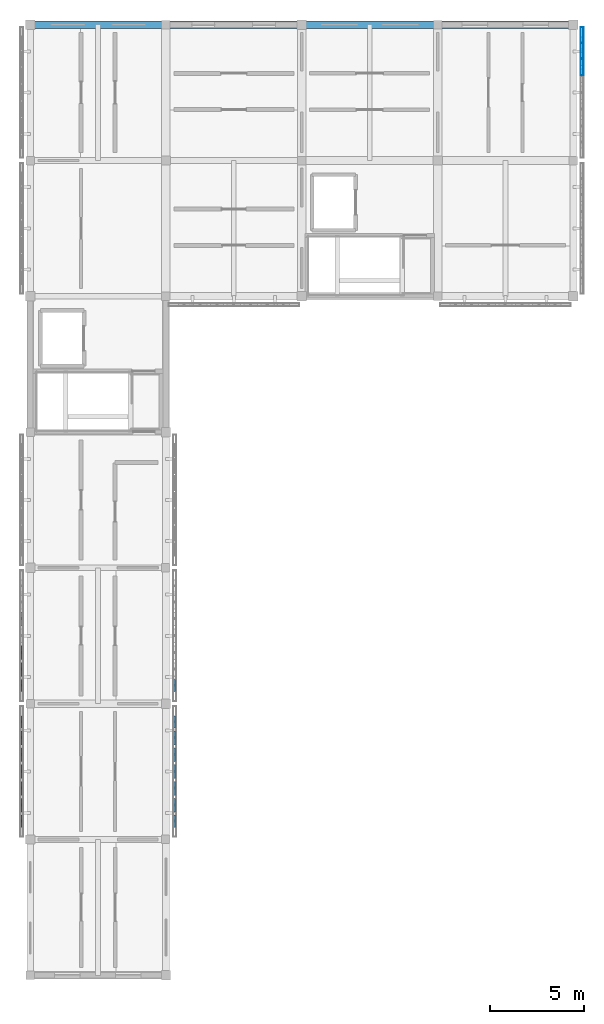
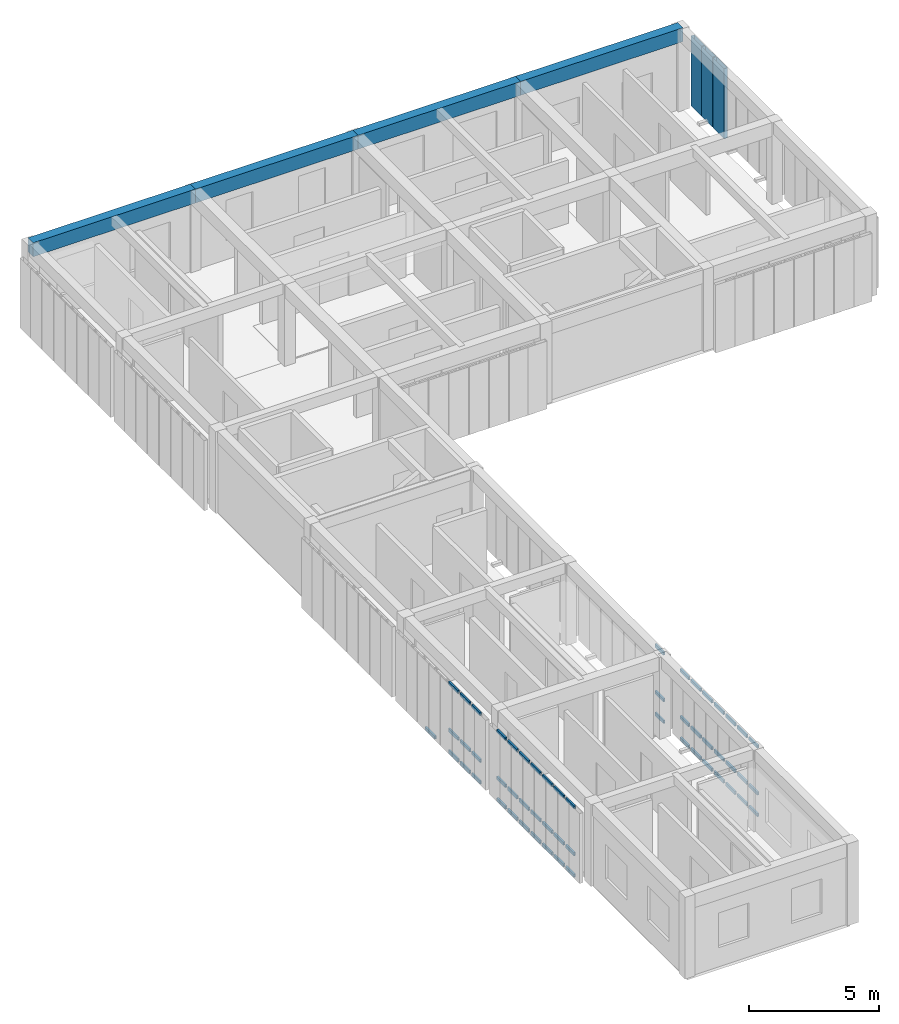
# One storey, part 3 of 14: 58 members, 4 beams, 5 elements without a shape of their own.
"""IFC4 building model written with IfcOpenShell, lengths in metres."""

from ifc_helpers import new_model, si_unit, direction, frame, origin, origin_2d, place, context, subcontext, project, spatial, rectangle, hollow_rectangle, extrude, material, material_profile, profile_set, type_object, element, aggregate, save


model = new_model("IFC4")

# Units and contexts
model_context = context("Model", 3, precision=1e-05, world=origin(), true_north=direction((0.0, 1.0)))
body_context = subcontext(model_context, "Body", "Model", "MODEL_VIEW")
ifc_project = project(units=[si_unit("LENGTHUNIT", "METRE"), si_unit("AREAUNIT", "SQUARE_METRE"), si_unit("VOLUMEUNIT", "CUBIC_METRE"), si_unit("PLANEANGLEUNIT", "RADIAN"), si_unit("MASSUNIT", "GRAM", prefix="KILO")], contexts=[model_context])

# Site, building, storey
site_placement = place(None, origin())
site = spatial("IfcSite", under=ifc_project, at=site_placement, CompositionType="ELEMENT")
building_placement = place(site_placement, origin())
building = spatial("IfcBuilding", under=site, at=building_placement, Name="Aldebral Square Health Centre", CompositionType="ELEMENT")
storey_placement = place(building_placement, frame((0.0, 0.0, 21.60009765625)))
storey = spatial("IfcBuildingStorey", under=building, at=storey_placement, Name="L05", CompositionType="ELEMENT", Elevation=21.60009765625)

# Beams
ifc_material_1 = material(Name="Concrete C40/50", Category="concrete")
ifc_material_profile_1 = material_profile(ifc_material_1, rectangle(XDim=0.39990234375, YDim=0.64990234375, at=origin_2d()), Name="RC 400x650")
ifc_profile_set_1 = profile_set([ifc_material_profile_1], Name="Concrete C40/50")
beam_type = type_object("IfcBeamType", Name="BM-B1", PredefinedType="BEAM", material=ifc_profile_set_1)
for number, where, z_axis, x_axis, name in (
    (1, (0.0, 115.199951171875, 3.5048828125), (1.0, 0.0, 0.0), (0.0, 1.0, 0.0), "L05 X-beam 1-2/G17"),
    (2, (7.199951171875, 115.199951171875, 3.5048828125), (1.0, 0.0, 0.0), (0.0, 1.0, 0.0), "L05 X-beam 2-3/G17"),
):
    element("IfcBeam", number, at=place(storey_placement, frame(where, z_axis=z_axis, x_axis=x_axis)), inside=storey, type_object=beam_type, Name=name, PredefinedType="BEAM", context=body_context, shape_type="SweptSolid", body=[
        extrude(rectangle(XDim=0.39990234375, YDim=0.64990234375, at=origin_2d()), origin(), (0.0, 0.0, 1.0), 7.199951171875),
    ])
beam_1_placement = place(storey_placement, frame((14.39990234375, 115.199951171875, 3.5048828125), z_axis=(1.0, 0.0, 0.0), x_axis=(0.0, 1.0, 0.0)))
element("IfcBeam", 3, at=beam_1_placement, inside=storey, type_object=beam_type, Name="L05 X-beam 3-4/G17", PredefinedType="BEAM", context=body_context, shape_type="SweptSolid", body=[
    extrude(rectangle(XDim=0.39990234375, YDim=0.64990234375, at=origin_2d()), origin(), (0.0, 0.0, 1.0), 7.2001953125),
])
beam_2_placement = place(storey_placement, frame((21.60009765625, 115.199951171875, 3.5048828125), z_axis=(1.0, 0.0, 0.0), x_axis=(0.0, 1.0, 0.0)))
element("IfcBeam", 4, at=beam_2_placement, inside=storey, type_object=beam_type, Name="L05 X-beam 4-5/G17", PredefinedType="BEAM", context=body_context, shape_type="SweptSolid", body=[
    extrude(rectangle(XDim=0.39990234375, YDim=0.64990234375, at=origin_2d()), origin(), (0.0, 0.0, 1.0), 7.199951171875),
])

# Curtain wall, members
ifc_material_2 = material(Name="Aluminium and low-E solar glass", Category="aluminium")
curtain_wall_type = type_object("IfcCurtainWallType", Name="CW-FIN-SYS", PredefinedType="USERDEFINED", material=ifc_material_2)
curtain_wall_1_placement = place(storey_placement, origin())
curtain_wall_1 = element("IfcCurtainWall", 5, at=curtain_wall_1_placement, inside=storey, type_object=curtain_wall_type, Name="L05 V4 finned curtain wall L05-V4-03-15-E", ObjectType="SOLAR_CURTAIN_WALL", PredefinedType="USERDEFINED")
ifc_material_3 = material(Name="Sienna-terracotta clad aluminium fin", Category="masonry")
ifc_material_profile_2 = material_profile(ifc_material_3, hollow_rectangle(XDim=0.159912109375, YDim=0.85009765625, WallThickness=0.006103515625, at=origin_2d()), Name="FIN 160x850x6")
ifc_profile_set_2 = profile_set([ifc_material_profile_2], Name="Sienna-terracotta clad aluminium fin")
member_type_1 = type_object("IfcMemberType", Name="CWM-FIN", PredefinedType="MULLION", material=ifc_profile_set_2)
member_1_placement = place(storey_placement, frame((29.260009765625, 112.937255859375, 0.0), z_axis=(0.0, 0.0, 1.0), x_axis=(-1.0, 0.0, 0.0)))
member_1 = element("IfcMember", 6, at=member_1_placement, type_object=member_type_1, Name="CW1 mullion 6", PredefinedType="MULLION", context=body_context, shape_type="SweptSolid", body=[
    extrude(hollow_rectangle(XDim=0.159912109375, YDim=0.85009765625, WallThickness=0.006103515625, at=origin_2d()), origin(), (0.0, 0.0, 1.0), 3.27978515625),
])
member_2_placement = place(storey_placement, frame((29.260009765625, 113.82861328125, 0.0), z_axis=(0.0, 0.0, 1.0), x_axis=(-1.0, 0.0, 0.0)))
member_2 = element("IfcMember", 7, at=member_2_placement, type_object=member_type_1, Name="CW1 mullion 7", PredefinedType="MULLION", context=body_context, shape_type="SweptSolid", body=[
    extrude(hollow_rectangle(XDim=0.159912109375, YDim=0.85009765625, WallThickness=0.006103515625, at=origin_2d()), origin(), (0.0, 0.0, 1.0), 3.27978515625),
])
member_3_placement = place(storey_placement, frame((29.260009765625, 114.639892578125, 0.0), z_axis=(0.0, 0.0, 1.0), x_axis=(-1.0, 0.0, 0.0)))
member_3 = element("IfcMember", 8, at=member_3_placement, type_object=member_type_1, Name="CW1 mullion 8", PredefinedType="MULLION", context=body_context, shape_type="SweptSolid", body=[
    extrude(hollow_rectangle(XDim=0.159912109375, YDim=0.85009765625, WallThickness=0.006103515625, at=origin_2d()), origin(), (0.0, 0.0, 1.0), 3.27978515625),
])
aggregate(curtain_wall_1, [member_1, member_2, member_3])

curtain_wall_2_placement = place(storey_placement, origin())
curtain_wall_2 = element("IfcCurtainWall", 9, at=curtain_wall_2_placement, inside=storey, type_object=curtain_wall_type, Name="L05 V4 finned curtain wall L05-V4-00-10-W", ObjectType="SOLAR_CURTAIN_WALL", PredefinedType="USERDEFINED")
ifc_material_4 = material(Name="Anodised aluminium transom", Category="aluminium")
ifc_material_profile_3 = material_profile(ifc_material_4, hollow_rectangle(XDim=0.074951171875, YDim=0.14990234375, WallThickness=0.00390625, at=origin_2d()), Name="CWT 75x150x4")
ifc_profile_set_3 = profile_set([ifc_material_profile_3], Name="Anodised aluminium transom")
member_type_2 = type_object("IfcMemberType", Name="CWT-STD", PredefinedType="USERDEFINED", material=ifc_profile_set_3)
member_4_placement = place(storey_placement, frame((-0.4599609375, 78.56005859375, 0.037353515625), z_axis=(0.0, -1.0, 0.0), x_axis=(1.0, 0.0, 0.0)))
member_4 = element("IfcMember", 10, at=member_4_placement, type_object=member_type_2, Name="CW1 transom 1.1", ObjectType="TRANSOM", PredefinedType="USERDEFINED", context=body_context, shape_type="SweptSolid", body=[
    extrude(hollow_rectangle(XDim=0.074951171875, YDim=0.14990234375, WallThickness=0.00390625, at=origin_2d()), origin(), (0.0, 0.0, 1.0), 0.6513671875),
])
member_5_placement = place(storey_placement, frame((-0.4599609375, 78.56005859375, 1.0498046875), z_axis=(0.0, -1.0, 0.0), x_axis=(1.0, 0.0, 0.0)))
member_5 = element("IfcMember", 11, at=member_5_placement, type_object=member_type_2, Name="CW1 transom 1.2", ObjectType="TRANSOM", PredefinedType="USERDEFINED", context=body_context, shape_type="SweptSolid", body=[
    extrude(hollow_rectangle(XDim=0.074951171875, YDim=0.14990234375, WallThickness=0.00390625, at=origin_2d()), origin(), (0.0, 0.0, 1.0), 0.6513671875),
])
member_6_placement = place(storey_placement, frame((-0.4599609375, 78.56005859375, 3.242431640625), z_axis=(0.0, -1.0, 0.0), x_axis=(1.0, 0.0, 0.0)))
member_6 = element("IfcMember", 12, at=member_6_placement, type_object=member_type_2, Name="CW1 transom 1.3", ObjectType="TRANSOM", PredefinedType="USERDEFINED", context=body_context, shape_type="SweptSolid", body=[
    extrude(hollow_rectangle(XDim=0.074951171875, YDim=0.14990234375, WallThickness=0.00390625, at=origin_2d()), origin(), (0.0, 0.0, 1.0), 0.6513671875),
])
member_7_placement = place(storey_placement, frame((-0.4599609375, 77.74853515625, 0.037353515625), z_axis=(0.0, -1.0, 0.0), x_axis=(1.0, 0.0, 0.0)))
member_7 = element("IfcMember", 13, at=member_7_placement, type_object=member_type_2, Name="CW1 transom 2.1", ObjectType="TRANSOM", PredefinedType="USERDEFINED", context=body_context, shape_type="SweptSolid", body=[
    extrude(hollow_rectangle(XDim=0.074951171875, YDim=0.14990234375, WallThickness=0.00390625, at=origin_2d()), origin(), (0.0, 0.0, 1.0), 0.7314453125),
])
member_8_placement = place(storey_placement, frame((-0.4599609375, 77.74853515625, 1.0498046875), z_axis=(0.0, -1.0, 0.0), x_axis=(1.0, 0.0, 0.0)))
member_8 = element("IfcMember", 14, at=member_8_placement, type_object=member_type_2, Name="CW1 transom 2.2", ObjectType="TRANSOM", PredefinedType="USERDEFINED", context=body_context, shape_type="SweptSolid", body=[
    extrude(hollow_rectangle(XDim=0.074951171875, YDim=0.14990234375, WallThickness=0.00390625, at=origin_2d()), origin(), (0.0, 0.0, 1.0), 0.7314453125),
])
member_9_placement = place(storey_placement, frame((-0.4599609375, 77.74853515625, 3.242431640625), z_axis=(0.0, -1.0, 0.0), x_axis=(1.0, 0.0, 0.0)))
member_9 = element("IfcMember", 15, at=member_9_placement, type_object=member_type_2, Name="CW1 transom 2.3", ObjectType="TRANSOM", PredefinedType="USERDEFINED", context=body_context, shape_type="SweptSolid", body=[
    extrude(hollow_rectangle(XDim=0.074951171875, YDim=0.14990234375, WallThickness=0.00390625, at=origin_2d()), origin(), (0.0, 0.0, 1.0), 0.7314453125),
])
member_10_placement = place(storey_placement, frame((-0.4599609375, 76.857177734375, 0.037353515625), z_axis=(0.0, -1.0, 0.0), x_axis=(1.0, 0.0, 0.0)))
member_10 = element("IfcMember", 16, at=member_10_placement, type_object=member_type_2, Name="CW1 transom 3.1", ObjectType="TRANSOM", PredefinedType="USERDEFINED", context=body_context, shape_type="SweptSolid", body=[
    extrude(hollow_rectangle(XDim=0.074951171875, YDim=0.14990234375, WallThickness=0.00390625, at=origin_2d()), origin(), (0.0, 0.0, 1.0), 0.7314453125),
])
member_11_placement = place(storey_placement, frame((-0.4599609375, 76.857177734375, 1.0498046875), z_axis=(0.0, -1.0, 0.0), x_axis=(1.0, 0.0, 0.0)))
member_11 = element("IfcMember", 17, at=member_11_placement, type_object=member_type_2, Name="CW1 transom 3.2", ObjectType="TRANSOM", PredefinedType="USERDEFINED", context=body_context, shape_type="SweptSolid", body=[
    extrude(hollow_rectangle(XDim=0.074951171875, YDim=0.14990234375, WallThickness=0.00390625, at=origin_2d()), origin(), (0.0, 0.0, 1.0), 0.7314453125),
])
member_12_placement = place(storey_placement, frame((-0.4599609375, 76.857177734375, 3.242431640625), z_axis=(0.0, -1.0, 0.0), x_axis=(1.0, 0.0, 0.0)))
member_12 = element("IfcMember", 18, at=member_12_placement, type_object=member_type_2, Name="CW1 transom 3.3", ObjectType="TRANSOM", PredefinedType="USERDEFINED", context=body_context, shape_type="SweptSolid", body=[
    extrude(hollow_rectangle(XDim=0.074951171875, YDim=0.14990234375, WallThickness=0.00390625, at=origin_2d()), origin(), (0.0, 0.0, 1.0), 0.7314453125),
])
member_13_placement = place(storey_placement, frame((-0.4599609375, 75.9658203125, 0.037353515625), z_axis=(0.0, -1.0, 0.0), x_axis=(1.0, 0.0, 0.0)))
member_13 = element("IfcMember", 19, at=member_13_placement, type_object=member_type_2, Name="CW1 transom 4.1", ObjectType="TRANSOM", PredefinedType="USERDEFINED", context=body_context, shape_type="SweptSolid", body=[
    extrude(hollow_rectangle(XDim=0.074951171875, YDim=0.14990234375, WallThickness=0.00390625, at=origin_2d()), origin(), (0.0, 0.0, 1.0), 0.7314453125),
])
member_14_placement = place(storey_placement, frame((-0.4599609375, 75.9658203125, 1.0498046875), z_axis=(0.0, -1.0, 0.0), x_axis=(1.0, 0.0, 0.0)))
member_14 = element("IfcMember", 20, at=member_14_placement, type_object=member_type_2, Name="CW1 transom 4.2", ObjectType="TRANSOM", PredefinedType="USERDEFINED", context=body_context, shape_type="SweptSolid", body=[
    extrude(hollow_rectangle(XDim=0.074951171875, YDim=0.14990234375, WallThickness=0.00390625, at=origin_2d()), origin(), (0.0, 0.0, 1.0), 0.7314453125),
])
member_15_placement = place(storey_placement, frame((-0.4599609375, 75.9658203125, 3.242431640625), z_axis=(0.0, -1.0, 0.0), x_axis=(1.0, 0.0, 0.0)))
member_15 = element("IfcMember", 21, at=member_15_placement, type_object=member_type_2, Name="CW1 transom 4.3", ObjectType="TRANSOM", PredefinedType="USERDEFINED", context=body_context, shape_type="SweptSolid", body=[
    extrude(hollow_rectangle(XDim=0.074951171875, YDim=0.14990234375, WallThickness=0.00390625, at=origin_2d()), origin(), (0.0, 0.0, 1.0), 0.7314453125),
])
member_16_placement = place(storey_placement, frame((-0.4599609375, 75.07421875, 0.037353515625), z_axis=(0.0, -1.0, 0.0), x_axis=(1.0, 0.0, 0.0)))
member_16 = element("IfcMember", 22, at=member_16_placement, type_object=member_type_2, Name="CW1 transom 5.1", ObjectType="TRANSOM", PredefinedType="USERDEFINED", context=body_context, shape_type="SweptSolid", body=[
    extrude(hollow_rectangle(XDim=0.074951171875, YDim=0.14990234375, WallThickness=0.00390625, at=origin_2d()), origin(), (0.0, 0.0, 1.0), 0.7314453125),
])
member_17_placement = place(storey_placement, frame((-0.4599609375, 75.07421875, 1.0498046875), z_axis=(0.0, -1.0, 0.0), x_axis=(1.0, 0.0, 0.0)))
member_17 = element("IfcMember", 23, at=member_17_placement, type_object=member_type_2, Name="CW1 transom 5.2", ObjectType="TRANSOM", PredefinedType="USERDEFINED", context=body_context, shape_type="SweptSolid", body=[
    extrude(hollow_rectangle(XDim=0.074951171875, YDim=0.14990234375, WallThickness=0.00390625, at=origin_2d()), origin(), (0.0, 0.0, 1.0), 0.7314453125),
])
member_18_placement = place(storey_placement, frame((-0.4599609375, 75.07421875, 3.242431640625), z_axis=(0.0, -1.0, 0.0), x_axis=(1.0, 0.0, 0.0)))
member_18 = element("IfcMember", 24, at=member_18_placement, type_object=member_type_2, Name="CW1 transom 5.3", ObjectType="TRANSOM", PredefinedType="USERDEFINED", context=body_context, shape_type="SweptSolid", body=[
    extrude(hollow_rectangle(XDim=0.074951171875, YDim=0.14990234375, WallThickness=0.00390625, at=origin_2d()), origin(), (0.0, 0.0, 1.0), 0.7314453125),
])
member_19_placement = place(storey_placement, frame((-0.4599609375, 74.182861328125, 0.037353515625), z_axis=(0.0, -1.0, 0.0), x_axis=(1.0, 0.0, 0.0)))
member_19 = element("IfcMember", 25, at=member_19_placement, type_object=member_type_2, Name="CW1 transom 6.1", ObjectType="TRANSOM", PredefinedType="USERDEFINED", context=body_context, shape_type="SweptSolid", body=[
    extrude(hollow_rectangle(XDim=0.074951171875, YDim=0.14990234375, WallThickness=0.00390625, at=origin_2d()), origin(), (0.0, 0.0, 1.0), 0.7314453125),
])
member_20_placement = place(storey_placement, frame((-0.4599609375, 74.182861328125, 1.0498046875), z_axis=(0.0, -1.0, 0.0), x_axis=(1.0, 0.0, 0.0)))
member_20 = element("IfcMember", 26, at=member_20_placement, type_object=member_type_2, Name="CW1 transom 6.2", ObjectType="TRANSOM", PredefinedType="USERDEFINED", context=body_context, shape_type="SweptSolid", body=[
    extrude(hollow_rectangle(XDim=0.074951171875, YDim=0.14990234375, WallThickness=0.00390625, at=origin_2d()), origin(), (0.0, 0.0, 1.0), 0.7314453125),
])
member_21_placement = place(storey_placement, frame((-0.4599609375, 74.182861328125, 3.242431640625), z_axis=(0.0, -1.0, 0.0), x_axis=(1.0, 0.0, 0.0)))
member_21 = element("IfcMember", 27, at=member_21_placement, type_object=member_type_2, Name="CW1 transom 6.3", ObjectType="TRANSOM", PredefinedType="USERDEFINED", context=body_context, shape_type="SweptSolid", body=[
    extrude(hollow_rectangle(XDim=0.074951171875, YDim=0.14990234375, WallThickness=0.00390625, at=origin_2d()), origin(), (0.0, 0.0, 1.0), 0.7314453125),
])
member_22_placement = place(storey_placement, frame((-0.4599609375, 73.29150390625, 0.037353515625), z_axis=(0.0, -1.0, 0.0), x_axis=(1.0, 0.0, 0.0)))
member_22 = element("IfcMember", 28, at=member_22_placement, type_object=member_type_2, Name="CW1 transom 7.1", ObjectType="TRANSOM", PredefinedType="USERDEFINED", context=body_context, shape_type="SweptSolid", body=[
    extrude(hollow_rectangle(XDim=0.074951171875, YDim=0.14990234375, WallThickness=0.00390625, at=origin_2d()), origin(), (0.0, 0.0, 1.0), 0.651611328125),
])
member_23_placement = place(storey_placement, frame((-0.4599609375, 73.29150390625, 1.0498046875), z_axis=(0.0, -1.0, 0.0), x_axis=(1.0, 0.0, 0.0)))
member_23 = element("IfcMember", 29, at=member_23_placement, type_object=member_type_2, Name="CW1 transom 7.2", ObjectType="TRANSOM", PredefinedType="USERDEFINED", context=body_context, shape_type="SweptSolid", body=[
    extrude(hollow_rectangle(XDim=0.074951171875, YDim=0.14990234375, WallThickness=0.00390625, at=origin_2d()), origin(), (0.0, 0.0, 1.0), 0.651611328125),
])
member_24_placement = place(storey_placement, frame((-0.4599609375, 73.29150390625, 3.242431640625), z_axis=(0.0, -1.0, 0.0), x_axis=(1.0, 0.0, 0.0)))
member_24 = element("IfcMember", 30, at=member_24_placement, type_object=member_type_2, Name="CW1 transom 7.3", ObjectType="TRANSOM", PredefinedType="USERDEFINED", context=body_context, shape_type="SweptSolid", body=[
    extrude(hollow_rectangle(XDim=0.074951171875, YDim=0.14990234375, WallThickness=0.00390625, at=origin_2d()), origin(), (0.0, 0.0, 1.0), 0.651611328125),
])
aggregate(curtain_wall_2, [member_4, member_5, member_6, member_7, member_8, member_9, member_10, member_11, member_12, member_13, member_14, member_15, member_16, member_17, member_18, member_19, member_20, member_21, member_22, member_23, member_24])

curtain_wall_3_placement = place(storey_placement, origin())
curtain_wall_3 = element("IfcCurtainWall", 31, at=curtain_wall_3_placement, inside=storey, type_object=curtain_wall_type, Name="L05 V4 finned curtain wall L05-V4-00-10-E", ObjectType="SOLAR_CURTAIN_WALL", PredefinedType="USERDEFINED")
member_25_placement = place(storey_placement, frame((7.659912109375, 72.639892578125, 0.037353515625), z_axis=(0.0, 1.0, 0.0), x_axis=(-1.0, 0.0, 0.0)))
member_25 = element("IfcMember", 32, at=member_25_placement, type_object=member_type_2, Name="CW1 transom 1.1", ObjectType="TRANSOM", PredefinedType="USERDEFINED", context=body_context, shape_type="SweptSolid", body=[
    extrude(hollow_rectangle(XDim=0.074951171875, YDim=0.14990234375, WallThickness=0.00390625, at=origin_2d()), origin(), (0.0, 0.0, 1.0), 0.651611328125),
])
member_26_placement = place(storey_placement, frame((7.659912109375, 72.639892578125, 1.0498046875), z_axis=(0.0, 1.0, 0.0), x_axis=(-1.0, 0.0, 0.0)))
member_26 = element("IfcMember", 33, at=member_26_placement, type_object=member_type_2, Name="CW1 transom 1.2", ObjectType="TRANSOM", PredefinedType="USERDEFINED", context=body_context, shape_type="SweptSolid", body=[
    extrude(hollow_rectangle(XDim=0.074951171875, YDim=0.14990234375, WallThickness=0.00390625, at=origin_2d()), origin(), (0.0, 0.0, 1.0), 0.651611328125),
])
member_27_placement = place(storey_placement, frame((7.659912109375, 72.639892578125, 3.242431640625), z_axis=(0.0, 1.0, 0.0), x_axis=(-1.0, 0.0, 0.0)))
member_27 = element("IfcMember", 34, at=member_27_placement, type_object=member_type_2, Name="CW1 transom 1.3", ObjectType="TRANSOM", PredefinedType="USERDEFINED", context=body_context, shape_type="SweptSolid", body=[
    extrude(hollow_rectangle(XDim=0.074951171875, YDim=0.14990234375, WallThickness=0.00390625, at=origin_2d()), origin(), (0.0, 0.0, 1.0), 0.651611328125),
])
member_28_placement = place(storey_placement, frame((7.659912109375, 73.451416015625, 0.037353515625), z_axis=(0.0, 1.0, 0.0), x_axis=(-1.0, 0.0, 0.0)))
member_28 = element("IfcMember", 35, at=member_28_placement, type_object=member_type_2, Name="CW1 transom 2.1", ObjectType="TRANSOM", PredefinedType="USERDEFINED", context=body_context, shape_type="SweptSolid", body=[
    extrude(hollow_rectangle(XDim=0.074951171875, YDim=0.14990234375, WallThickness=0.00390625, at=origin_2d()), origin(), (0.0, 0.0, 1.0), 0.7314453125),
])
member_29_placement = place(storey_placement, frame((7.659912109375, 73.451416015625, 1.0498046875), z_axis=(0.0, 1.0, 0.0), x_axis=(-1.0, 0.0, 0.0)))
member_29 = element("IfcMember", 36, at=member_29_placement, type_object=member_type_2, Name="CW1 transom 2.2", ObjectType="TRANSOM", PredefinedType="USERDEFINED", context=body_context, shape_type="SweptSolid", body=[
    extrude(hollow_rectangle(XDim=0.074951171875, YDim=0.14990234375, WallThickness=0.00390625, at=origin_2d()), origin(), (0.0, 0.0, 1.0), 0.7314453125),
])
member_30_placement = place(storey_placement, frame((7.659912109375, 73.451416015625, 3.242431640625), z_axis=(0.0, 1.0, 0.0), x_axis=(-1.0, 0.0, 0.0)))
member_30 = element("IfcMember", 37, at=member_30_placement, type_object=member_type_2, Name="CW1 transom 2.3", ObjectType="TRANSOM", PredefinedType="USERDEFINED", context=body_context, shape_type="SweptSolid", body=[
    extrude(hollow_rectangle(XDim=0.074951171875, YDim=0.14990234375, WallThickness=0.00390625, at=origin_2d()), origin(), (0.0, 0.0, 1.0), 0.7314453125),
])
member_31_placement = place(storey_placement, frame((7.659912109375, 74.3427734375, 0.037353515625), z_axis=(0.0, 1.0, 0.0), x_axis=(-1.0, 0.0, 0.0)))
member_31 = element("IfcMember", 38, at=member_31_placement, type_object=member_type_2, Name="CW1 transom 3.1", ObjectType="TRANSOM", PredefinedType="USERDEFINED", context=body_context, shape_type="SweptSolid", body=[
    extrude(hollow_rectangle(XDim=0.074951171875, YDim=0.14990234375, WallThickness=0.00390625, at=origin_2d()), origin(), (0.0, 0.0, 1.0), 0.7314453125),
])
member_32_placement = place(storey_placement, frame((7.659912109375, 74.3427734375, 1.0498046875), z_axis=(0.0, 1.0, 0.0), x_axis=(-1.0, 0.0, 0.0)))
member_32 = element("IfcMember", 39, at=member_32_placement, type_object=member_type_2, Name="CW1 transom 3.2", ObjectType="TRANSOM", PredefinedType="USERDEFINED", context=body_context, shape_type="SweptSolid", body=[
    extrude(hollow_rectangle(XDim=0.074951171875, YDim=0.14990234375, WallThickness=0.00390625, at=origin_2d()), origin(), (0.0, 0.0, 1.0), 0.7314453125),
])
member_33_placement = place(storey_placement, frame((7.659912109375, 74.3427734375, 3.242431640625), z_axis=(0.0, 1.0, 0.0), x_axis=(-1.0, 0.0, 0.0)))
member_33 = element("IfcMember", 40, at=member_33_placement, type_object=member_type_2, Name="CW1 transom 3.3", ObjectType="TRANSOM", PredefinedType="USERDEFINED", context=body_context, shape_type="SweptSolid", body=[
    extrude(hollow_rectangle(XDim=0.074951171875, YDim=0.14990234375, WallThickness=0.00390625, at=origin_2d()), origin(), (0.0, 0.0, 1.0), 0.7314453125),
])
member_34_placement = place(storey_placement, frame((7.659912109375, 75.234375, 0.037353515625), z_axis=(0.0, 1.0, 0.0), x_axis=(-1.0, 0.0, 0.0)))
member_34 = element("IfcMember", 41, at=member_34_placement, type_object=member_type_2, Name="CW1 transom 4.1", ObjectType="TRANSOM", PredefinedType="USERDEFINED", context=body_context, shape_type="SweptSolid", body=[
    extrude(hollow_rectangle(XDim=0.074951171875, YDim=0.14990234375, WallThickness=0.00390625, at=origin_2d()), origin(), (0.0, 0.0, 1.0), 0.7314453125),
])
member_35_placement = place(storey_placement, frame((7.659912109375, 75.234375, 1.0498046875), z_axis=(0.0, 1.0, 0.0), x_axis=(-1.0, 0.0, 0.0)))
member_35 = element("IfcMember", 42, at=member_35_placement, type_object=member_type_2, Name="CW1 transom 4.2", ObjectType="TRANSOM", PredefinedType="USERDEFINED", context=body_context, shape_type="SweptSolid", body=[
    extrude(hollow_rectangle(XDim=0.074951171875, YDim=0.14990234375, WallThickness=0.00390625, at=origin_2d()), origin(), (0.0, 0.0, 1.0), 0.7314453125),
])
member_36_placement = place(storey_placement, frame((7.659912109375, 75.234375, 3.242431640625), z_axis=(0.0, 1.0, 0.0), x_axis=(-1.0, 0.0, 0.0)))
member_36 = element("IfcMember", 43, at=member_36_placement, type_object=member_type_2, Name="CW1 transom 4.3", ObjectType="TRANSOM", PredefinedType="USERDEFINED", context=body_context, shape_type="SweptSolid", body=[
    extrude(hollow_rectangle(XDim=0.074951171875, YDim=0.14990234375, WallThickness=0.00390625, at=origin_2d()), origin(), (0.0, 0.0, 1.0), 0.7314453125),
])
member_37_placement = place(storey_placement, frame((7.659912109375, 76.125732421875, 0.037353515625), z_axis=(0.0, 1.0, 0.0), x_axis=(-1.0, 0.0, 0.0)))
member_37 = element("IfcMember", 44, at=member_37_placement, type_object=member_type_2, Name="CW1 transom 5.1", ObjectType="TRANSOM", PredefinedType="USERDEFINED", context=body_context, shape_type="SweptSolid", body=[
    extrude(hollow_rectangle(XDim=0.074951171875, YDim=0.14990234375, WallThickness=0.00390625, at=origin_2d()), origin(), (0.0, 0.0, 1.0), 0.7314453125),
])
member_38_placement = place(storey_placement, frame((7.659912109375, 76.125732421875, 1.0498046875), z_axis=(0.0, 1.0, 0.0), x_axis=(-1.0, 0.0, 0.0)))
member_38 = element("IfcMember", 45, at=member_38_placement, type_object=member_type_2, Name="CW1 transom 5.2", ObjectType="TRANSOM", PredefinedType="USERDEFINED", context=body_context, shape_type="SweptSolid", body=[
    extrude(hollow_rectangle(XDim=0.074951171875, YDim=0.14990234375, WallThickness=0.00390625, at=origin_2d()), origin(), (0.0, 0.0, 1.0), 0.7314453125),
])
member_39_placement = place(storey_placement, frame((7.659912109375, 76.125732421875, 3.242431640625), z_axis=(0.0, 1.0, 0.0), x_axis=(-1.0, 0.0, 0.0)))
member_39 = element("IfcMember", 46, at=member_39_placement, type_object=member_type_2, Name="CW1 transom 5.3", ObjectType="TRANSOM", PredefinedType="USERDEFINED", context=body_context, shape_type="SweptSolid", body=[
    extrude(hollow_rectangle(XDim=0.074951171875, YDim=0.14990234375, WallThickness=0.00390625, at=origin_2d()), origin(), (0.0, 0.0, 1.0), 0.7314453125),
])
member_40_placement = place(storey_placement, frame((7.659912109375, 77.01708984375, 0.037353515625), z_axis=(0.0, 1.0, 0.0), x_axis=(-1.0, 0.0, 0.0)))
member_40 = element("IfcMember", 47, at=member_40_placement, type_object=member_type_2, Name="CW1 transom 6.1", ObjectType="TRANSOM", PredefinedType="USERDEFINED", context=body_context, shape_type="SweptSolid", body=[
    extrude(hollow_rectangle(XDim=0.074951171875, YDim=0.14990234375, WallThickness=0.00390625, at=origin_2d()), origin(), (0.0, 0.0, 1.0), 0.7314453125),
])
member_41_placement = place(storey_placement, frame((7.659912109375, 77.01708984375, 1.0498046875), z_axis=(0.0, 1.0, 0.0), x_axis=(-1.0, 0.0, 0.0)))
member_41 = element("IfcMember", 48, at=member_41_placement, type_object=member_type_2, Name="CW1 transom 6.2", ObjectType="TRANSOM", PredefinedType="USERDEFINED", context=body_context, shape_type="SweptSolid", body=[
    extrude(hollow_rectangle(XDim=0.074951171875, YDim=0.14990234375, WallThickness=0.00390625, at=origin_2d()), origin(), (0.0, 0.0, 1.0), 0.7314453125),
])
member_42_placement = place(storey_placement, frame((7.659912109375, 77.01708984375, 3.242431640625), z_axis=(0.0, 1.0, 0.0), x_axis=(-1.0, 0.0, 0.0)))
member_42 = element("IfcMember", 49, at=member_42_placement, type_object=member_type_2, Name="CW1 transom 6.3", ObjectType="TRANSOM", PredefinedType="USERDEFINED", context=body_context, shape_type="SweptSolid", body=[
    extrude(hollow_rectangle(XDim=0.074951171875, YDim=0.14990234375, WallThickness=0.00390625, at=origin_2d()), origin(), (0.0, 0.0, 1.0), 0.7314453125),
])
member_43_placement = place(storey_placement, frame((7.659912109375, 77.90869140625, 0.037353515625), z_axis=(0.0, 1.0, 0.0), x_axis=(-1.0, 0.0, 0.0)))
member_43 = element("IfcMember", 50, at=member_43_placement, type_object=member_type_2, Name="CW1 transom 7.1", ObjectType="TRANSOM", PredefinedType="USERDEFINED", context=body_context, shape_type="SweptSolid", body=[
    extrude(hollow_rectangle(XDim=0.074951171875, YDim=0.14990234375, WallThickness=0.00390625, at=origin_2d()), origin(), (0.0, 0.0, 1.0), 0.6513671875),
])
member_44_placement = place(storey_placement, frame((7.659912109375, 77.90869140625, 1.0498046875), z_axis=(0.0, 1.0, 0.0), x_axis=(-1.0, 0.0, 0.0)))
member_44 = element("IfcMember", 51, at=member_44_placement, type_object=member_type_2, Name="CW1 transom 7.2", ObjectType="TRANSOM", PredefinedType="USERDEFINED", context=body_context, shape_type="SweptSolid", body=[
    extrude(hollow_rectangle(XDim=0.074951171875, YDim=0.14990234375, WallThickness=0.00390625, at=origin_2d()), origin(), (0.0, 0.0, 1.0), 0.6513671875),
])
member_45_placement = place(storey_placement, frame((7.659912109375, 77.90869140625, 3.242431640625), z_axis=(0.0, 1.0, 0.0), x_axis=(-1.0, 0.0, 0.0)))
member_45 = element("IfcMember", 52, at=member_45_placement, type_object=member_type_2, Name="CW1 transom 7.3", ObjectType="TRANSOM", PredefinedType="USERDEFINED", context=body_context, shape_type="SweptSolid", body=[
    extrude(hollow_rectangle(XDim=0.074951171875, YDim=0.14990234375, WallThickness=0.00390625, at=origin_2d()), origin(), (0.0, 0.0, 1.0), 0.6513671875),
])
aggregate(curtain_wall_3, [member_25, member_26, member_27, member_28, member_29, member_30, member_31, member_32, member_33, member_34, member_35, member_36, member_37, member_38, member_39, member_40, member_41, member_42, member_43, member_44, member_45])

curtain_wall_4_placement = place(storey_placement, origin())
curtain_wall_4 = element("IfcCurtainWall", 53, at=curtain_wall_4_placement, inside=storey, type_object=curtain_wall_type, Name="L05 V4 finned curtain wall L05-V4-00-11-W", ObjectType="SOLAR_CURTAIN_WALL", PredefinedType="USERDEFINED")
member_46_placement = place(storey_placement, frame((-0.4599609375, 84.05712890625, 0.037353515625), z_axis=(0.0, -1.0, 0.0), x_axis=(1.0, 0.0, 0.0)))
member_46 = element("IfcMember", 54, at=member_46_placement, type_object=member_type_2, Name="CW1 transom 3.1", ObjectType="TRANSOM", PredefinedType="USERDEFINED", context=body_context, shape_type="SweptSolid", body=[
    extrude(hollow_rectangle(XDim=0.074951171875, YDim=0.14990234375, WallThickness=0.00390625, at=origin_2d()), origin(), (0.0, 0.0, 1.0), 0.7314453125),
])
member_47_placement = place(storey_placement, frame((-0.4599609375, 82.274169921875, 0.037353515625), z_axis=(0.0, -1.0, 0.0), x_axis=(1.0, 0.0, 0.0)))
member_47 = element("IfcMember", 55, at=member_47_placement, type_object=member_type_2, Name="CW1 transom 5.1", ObjectType="TRANSOM", PredefinedType="USERDEFINED", context=body_context, shape_type="SweptSolid", body=[
    extrude(hollow_rectangle(XDim=0.074951171875, YDim=0.14990234375, WallThickness=0.00390625, at=origin_2d()), origin(), (0.0, 0.0, 1.0), 0.731201171875),
])
member_48_placement = place(storey_placement, frame((-0.4599609375, 82.274169921875, 1.0498046875), z_axis=(0.0, -1.0, 0.0), x_axis=(1.0, 0.0, 0.0)))
member_48 = element("IfcMember", 56, at=member_48_placement, type_object=member_type_2, Name="CW1 transom 5.2", ObjectType="TRANSOM", PredefinedType="USERDEFINED", context=body_context, shape_type="SweptSolid", body=[
    extrude(hollow_rectangle(XDim=0.074951171875, YDim=0.14990234375, WallThickness=0.00390625, at=origin_2d()), origin(), (0.0, 0.0, 1.0), 0.731201171875),
])
member_49_placement = place(storey_placement, frame((-0.4599609375, 82.274169921875, 3.242431640625), z_axis=(0.0, -1.0, 0.0), x_axis=(1.0, 0.0, 0.0)))
member_49 = element("IfcMember", 57, at=member_49_placement, type_object=member_type_2, Name="CW1 transom 5.3", ObjectType="TRANSOM", PredefinedType="USERDEFINED", context=body_context, shape_type="SweptSolid", body=[
    extrude(hollow_rectangle(XDim=0.074951171875, YDim=0.14990234375, WallThickness=0.00390625, at=origin_2d()), origin(), (0.0, 0.0, 1.0), 0.731201171875),
])
member_50_placement = place(storey_placement, frame((-0.4599609375, 81.3828125, 0.037353515625), z_axis=(0.0, -1.0, 0.0), x_axis=(1.0, 0.0, 0.0)))
member_50 = element("IfcMember", 58, at=member_50_placement, type_object=member_type_2, Name="CW1 transom 6.1", ObjectType="TRANSOM", PredefinedType="USERDEFINED", context=body_context, shape_type="SweptSolid", body=[
    extrude(hollow_rectangle(XDim=0.074951171875, YDim=0.14990234375, WallThickness=0.00390625, at=origin_2d()), origin(), (0.0, 0.0, 1.0), 0.7314453125),
])
member_51_placement = place(storey_placement, frame((-0.4599609375, 81.3828125, 1.0498046875), z_axis=(0.0, -1.0, 0.0), x_axis=(1.0, 0.0, 0.0)))
member_51 = element("IfcMember", 59, at=member_51_placement, type_object=member_type_2, Name="CW1 transom 6.2", ObjectType="TRANSOM", PredefinedType="USERDEFINED", context=body_context, shape_type="SweptSolid", body=[
    extrude(hollow_rectangle(XDim=0.074951171875, YDim=0.14990234375, WallThickness=0.00390625, at=origin_2d()), origin(), (0.0, 0.0, 1.0), 0.7314453125),
])
member_52_placement = place(storey_placement, frame((-0.4599609375, 81.3828125, 3.242431640625), z_axis=(0.0, -1.0, 0.0), x_axis=(1.0, 0.0, 0.0)))
member_52 = element("IfcMember", 60, at=member_52_placement, type_object=member_type_2, Name="CW1 transom 6.3", ObjectType="TRANSOM", PredefinedType="USERDEFINED", context=body_context, shape_type="SweptSolid", body=[
    extrude(hollow_rectangle(XDim=0.074951171875, YDim=0.14990234375, WallThickness=0.00390625, at=origin_2d()), origin(), (0.0, 0.0, 1.0), 0.7314453125),
])
member_53_placement = place(storey_placement, frame((-0.4599609375, 80.491455078125, 0.037353515625), z_axis=(0.0, -1.0, 0.0), x_axis=(1.0, 0.0, 0.0)))
member_53 = element("IfcMember", 61, at=member_53_placement, type_object=member_type_2, Name="CW1 transom 7.1", ObjectType="TRANSOM", PredefinedType="USERDEFINED", context=body_context, shape_type="SweptSolid", body=[
    extrude(hollow_rectangle(XDim=0.074951171875, YDim=0.14990234375, WallThickness=0.00390625, at=origin_2d()), origin(), (0.0, 0.0, 1.0), 0.6513671875),
])
member_54_placement = place(storey_placement, frame((-0.4599609375, 80.491455078125, 1.0498046875), z_axis=(0.0, -1.0, 0.0), x_axis=(1.0, 0.0, 0.0)))
member_54 = element("IfcMember", 62, at=member_54_placement, type_object=member_type_2, Name="CW1 transom 7.2", ObjectType="TRANSOM", PredefinedType="USERDEFINED", context=body_context, shape_type="SweptSolid", body=[
    extrude(hollow_rectangle(XDim=0.074951171875, YDim=0.14990234375, WallThickness=0.00390625, at=origin_2d()), origin(), (0.0, 0.0, 1.0), 0.6513671875),
])
member_55_placement = place(storey_placement, frame((-0.4599609375, 80.491455078125, 3.242431640625), z_axis=(0.0, -1.0, 0.0), x_axis=(1.0, 0.0, 0.0)))
member_55 = element("IfcMember", 63, at=member_55_placement, type_object=member_type_2, Name="CW1 transom 7.3", ObjectType="TRANSOM", PredefinedType="USERDEFINED", context=body_context, shape_type="SweptSolid", body=[
    extrude(hollow_rectangle(XDim=0.074951171875, YDim=0.14990234375, WallThickness=0.00390625, at=origin_2d()), origin(), (0.0, 0.0, 1.0), 0.6513671875),
])
aggregate(curtain_wall_4, [member_46, member_47, member_48, member_49, member_50, member_51, member_52, member_53, member_54, member_55])

curtain_wall_5_placement = place(storey_placement, origin())
curtain_wall_5 = element("IfcCurtainWall", 64, at=curtain_wall_5_placement, inside=storey, type_object=curtain_wall_type, Name="L05 V4 finned curtain wall L05-V4-00-11-E", ObjectType="SOLAR_CURTAIN_WALL", PredefinedType="USERDEFINED")
member_56_placement = place(storey_placement, frame((7.659912109375, 79.840087890625, 0.037353515625), z_axis=(0.0, 1.0, 0.0), x_axis=(-1.0, 0.0, 0.0)))
member_56 = element("IfcMember", 65, at=member_56_placement, type_object=member_type_2, Name="CW1 transom 1.1", ObjectType="TRANSOM", PredefinedType="USERDEFINED", context=body_context, shape_type="SweptSolid", body=[
    extrude(hollow_rectangle(XDim=0.074951171875, YDim=0.14990234375, WallThickness=0.00390625, at=origin_2d()), origin(), (0.0, 0.0, 1.0), 0.6513671875),
])
member_57_placement = place(storey_placement, frame((7.659912109375, 79.840087890625, 1.0498046875), z_axis=(0.0, 1.0, 0.0), x_axis=(-1.0, 0.0, 0.0)))
member_57 = element("IfcMember", 66, at=member_57_placement, type_object=member_type_2, Name="CW1 transom 1.2", ObjectType="TRANSOM", PredefinedType="USERDEFINED", context=body_context, shape_type="SweptSolid", body=[
    extrude(hollow_rectangle(XDim=0.074951171875, YDim=0.14990234375, WallThickness=0.00390625, at=origin_2d()), origin(), (0.0, 0.0, 1.0), 0.6513671875),
])
member_58_placement = place(storey_placement, frame((7.659912109375, 79.840087890625, 3.242431640625), z_axis=(0.0, 1.0, 0.0), x_axis=(-1.0, 0.0, 0.0)))
member_58 = element("IfcMember", 67, at=member_58_placement, type_object=member_type_2, Name="CW1 transom 1.3", ObjectType="TRANSOM", PredefinedType="USERDEFINED", context=body_context, shape_type="SweptSolid", body=[
    extrude(hollow_rectangle(XDim=0.074951171875, YDim=0.14990234375, WallThickness=0.00390625, at=origin_2d()), origin(), (0.0, 0.0, 1.0), 0.6513671875),
])
aggregate(curtain_wall_5, [member_56, member_57, member_58])

save(model, "model.ifc")
